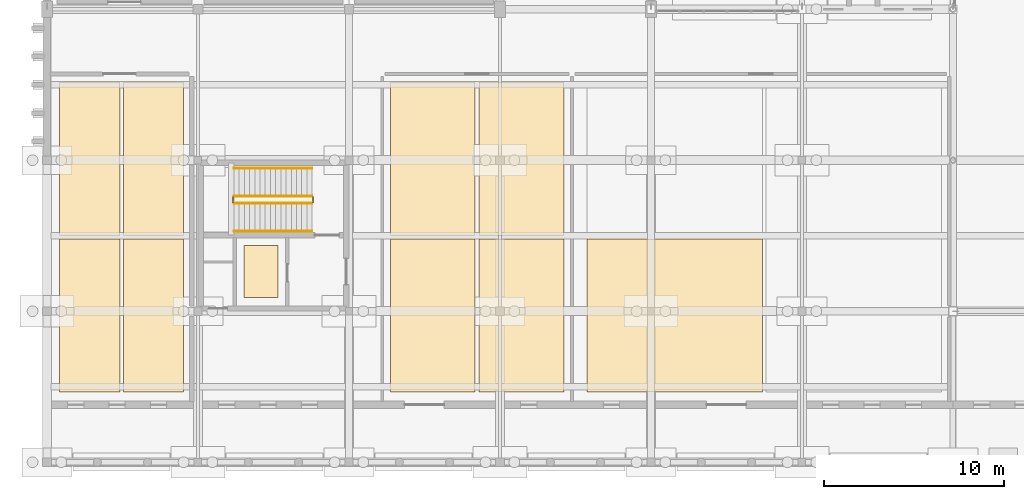
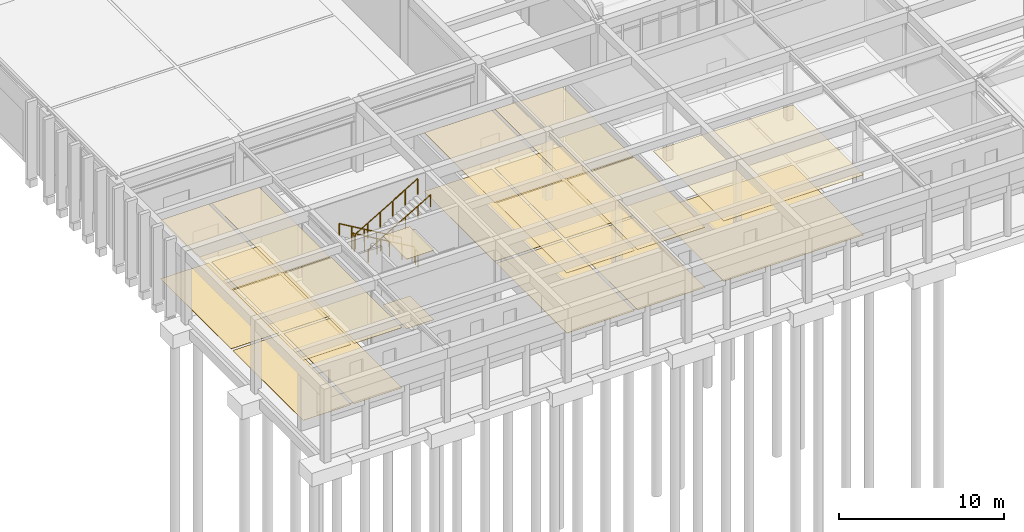
# One storey, part 131 of 143: 20 coverings, 6 railings.
"""IFC4 building model written with IfcOpenShell, lengths in metres."""

from ifc_helpers import new_model, si_unit, direction, frame, origin, origin_2d, place, context, subcontext, project, spatial, rectangle, circle, extrude, material, layer, layer_set, type_object, element, save


model = new_model("IFC4")

# Units and contexts
model_context = context("Model", 3, precision=1e-05, world=origin(), true_north=direction((0.0, 1.0)))
body_context = subcontext(model_context, "Body", "Model", "MODEL_VIEW")
ifc_project = project(units=[si_unit("LENGTHUNIT", "METRE"), si_unit("AREAUNIT", "SQUARE_METRE"), si_unit("VOLUMEUNIT", "CUBIC_METRE"), si_unit("PLANEANGLEUNIT", "RADIAN"), si_unit("MASSUNIT", "GRAM", prefix="KILO")], contexts=[model_context])

# Site, building, storey
site_placement = place(None, origin())
site = spatial("IfcSite", under=ifc_project, at=site_placement, CompositionType="ELEMENT")
building_placement = place(site_placement, origin())
building = spatial("IfcBuilding", under=site, at=building_placement, Name="Kveldsbrygga Polytechnic", CompositionType="ELEMENT")
storey_placement = place(building_placement, origin())
storey = spatial("IfcBuildingStorey", under=building, at=storey_placement, Name="L00", CompositionType="ELEMENT", Elevation=0.0)

# Coverings
ifc_material_1 = material(Name="Acoustic mineral baffle ceiling")
ifc_layer_1 = layer(ifc_material_1, 0.030029296875)
ifc_layer_set_1 = layer_set([ifc_layer_1], Name="Acoustic mineral baffle ceiling")
covering_type_1 = type_object("IfcCoveringType", Name="COV-CEIL-AC30", PredefinedType="CEILING", material=ifc_layer_set_1)
for number, where, z_axis, x_axis, name in (
    (1, (2.375, 8.16259765625, 4.43017578125), (0.0, 0.0, 1.0), (1.0, 0.0, 0.0), "Acoustic Ceiling SP-L00-FABLABW-WS"),
    (2, (2.375, 16.887451171875, 4.330078125), (0.0, 0.0, 1.0), (1.0, 0.0, 0.0), "Acoustic Ceiling SP-L00-FABLABW-WN"),
    (3, (5.925048828125, 8.16259765625, 4.43017578125), (0.0, 0.0, 1.0), (1.0, 0.0, 0.0), "Acoustic Ceiling SP-L00-FABLABW-ES"),
    (4, (5.925048828125, 16.887451171875, 4.330078125), (0.0, 0.0, 1.0), (1.0, 0.0, 0.0), "Acoustic Ceiling SP-L00-FABLABW-EN"),
):
    element("IfcCovering", number, at=place(storey_placement, frame(where, z_axis=z_axis, x_axis=x_axis)), inside=storey, type_object=covering_type_1, Name=name, PredefinedType="CEILING", context=body_context, shape_type="SweptSolid", body=[
        extrude(rectangle(XDim=3.35009765625, YDim=8.52490234375, at=origin_2d()), origin(), (0.0, 0.0, 1.0), 0.030029296875),
    ])
for number, where, z_axis, x_axis, name in (
    (5, (21.46240234375, 8.16259765625, 4.43017578125), (0.0, 0.0, 1.0), (1.0, 0.0, 0.0), "Acoustic Ceiling SP-L00-FABLAB-WS"),
    (6, (21.46240234375, 16.887451171875, 4.330078125), (0.0, 0.0, 1.0), (1.0, 0.0, 0.0), "Acoustic Ceiling SP-L00-FABLAB-WN"),
    (7, (26.387451171875, 8.16259765625, 4.43017578125), (0.0, 0.0, 1.0), (1.0, 0.0, 0.0), "Acoustic Ceiling SP-L00-FABLAB-ES"),
    (8, (26.387451171875, 16.887451171875, 4.330078125), (0.0, 0.0, 1.0), (1.0, 0.0, 0.0), "Acoustic Ceiling SP-L00-FABLAB-EN"),
):
    element("IfcCovering", number, at=place(storey_placement, frame(where, z_axis=z_axis, x_axis=x_axis)), inside=storey, type_object=covering_type_1, Name=name, PredefinedType="CEILING", context=body_context, shape_type="SweptSolid", body=[
        extrude(rectangle(XDim=4.72509765625, YDim=8.52490234375, at=origin_2d()), origin(), (0.0, 0.0, 1.0), 0.030029296875),
    ])
covering_1_placement = place(storey_placement, frame((34.925048828125, 8.16259765625, 4.43017578125), z_axis=(0.0, 0.0, 1.0), x_axis=(1.0, 0.0, 0.0)))
element("IfcCovering", 9, at=covering_1_placement, inside=storey, type_object=covering_type_1, Name="Acoustic Ceiling SP-L00-BOOK-WS", PredefinedType="CEILING", context=body_context, shape_type="SweptSolid", body=[
    extrude(rectangle(XDim=9.75, YDim=8.52490234375, at=origin_2d()), origin(), (0.0, 0.0, 1.0), 0.030029296875),
])
ifc_material_2 = material(Name="Gypsum acoustic ceiling")
ifc_layer_2 = layer(ifc_material_2, 0.02001953125)
ifc_layer_set_2 = layer_set([ifc_layer_2], Name="Gypsum acoustic ceiling")
covering_type_2 = type_object("IfcCoveringType", Name="COV-CEIL-GY20", PredefinedType="CEILING", material=ifc_layer_set_2)
covering_2_placement = place(storey_placement, frame((11.89990234375, 10.60009765625, 5.119873046875), z_axis=(0.0, 0.0, 1.0), x_axis=(1.0, 0.0, 0.0)))
element("IfcCovering", 10, at=covering_2_placement, inside=storey, type_object=covering_type_2, Name="Acoustic Ceiling SP-C9-L00-STORE", PredefinedType="CEILING", context=body_context, shape_type="SweptSolid", body=[
    extrude(rectangle(XDim=1.89990234375, YDim=2.89990234375, at=origin_2d()), origin(), (0.0, 0.0, 1.0), 0.02001953125),
])
ifc_material_3 = material(Name="Heavy-duty quartz-filled epoxy resin flooring")
ifc_layer_3 = layer(ifc_material_3, 0.014892578125)
ifc_layer_set_3 = layer_set([ifc_layer_3], Name="Heavy-duty quartz-filled epoxy resin flooring")
covering_type_3 = type_object("IfcCoveringType", Name="COV-FLR-EPX15", PredefinedType="FLOORING", material=ifc_layer_set_3)
covering_3_placement = place(storey_placement, frame((11.89990234375, 10.60009765625, 0.0), z_axis=(0.0, 0.0, 1.0), x_axis=(1.0, 0.0, 0.0)))
element("IfcCovering", 11, at=covering_3_placement, inside=storey, type_object=covering_type_3, Name="Room Flooring SP-C9-L00-STORE", PredefinedType="FLOORING", context=body_context, shape_type="SweptSolid", body=[
    extrude(rectangle(XDim=1.89990234375, YDim=2.89990234375, at=origin_2d()), origin(), (0.0, 0.0, 1.0), 0.014892578125),
])
for number, where, z_axis, x_axis, name in (
    (12, (2.375, 8.16259765625, 0.0), (0.0, 0.0, 1.0), (1.0, 0.0, 0.0), "Room Flooring SP-L00-FABLABW-WS"),
    (13, (2.375, 16.887451171875, 0.0), (0.0, 0.0, 1.0), (1.0, 0.0, 0.0), "Room Flooring SP-L00-FABLABW-WN"),
    (14, (5.925048828125, 8.16259765625, 0.0), (0.0, 0.0, 1.0), (1.0, 0.0, 0.0), "Room Flooring SP-L00-FABLABW-ES"),
    (15, (5.925048828125, 16.887451171875, 0.0), (0.0, 0.0, 1.0), (1.0, 0.0, 0.0), "Room Flooring SP-L00-FABLABW-EN"),
):
    element("IfcCovering", number, at=place(storey_placement, frame(where, z_axis=z_axis, x_axis=x_axis)), inside=storey, type_object=covering_type_3, Name=name, PredefinedType="FLOORING", context=body_context, shape_type="SweptSolid", body=[
        extrude(rectangle(XDim=3.35009765625, YDim=8.52490234375, at=origin_2d()), origin(), (0.0, 0.0, 1.0), 0.014892578125),
    ])
ifc_material_4 = material(Name="Acoustic oak timber flooring", Category="wood")
ifc_layer_4 = layer(ifc_material_4, 0.02197265625)
ifc_layer_set_4 = layer_set([ifc_layer_4], Name="Acoustic oak timber flooring")
covering_type_4 = type_object("IfcCoveringType", Name="COV-FLR-OAK22", PredefinedType="FLOORING", material=ifc_layer_set_4)
for number, where, z_axis, x_axis, name in (
    (16, (21.46240234375, 8.16259765625, 0.0), (0.0, 0.0, 1.0), (1.0, 0.0, 0.0), "Room Flooring SP-L00-FABLAB-WS"),
    (17, (21.46240234375, 16.887451171875, 0.0), (0.0, 0.0, 1.0), (1.0, 0.0, 0.0), "Room Flooring SP-L00-FABLAB-WN"),
    (18, (26.387451171875, 8.16259765625, 0.0), (0.0, 0.0, 1.0), (1.0, 0.0, 0.0), "Room Flooring SP-L00-FABLAB-ES"),
    (19, (26.387451171875, 16.887451171875, 0.0), (0.0, 0.0, 1.0), (1.0, 0.0, 0.0), "Room Flooring SP-L00-FABLAB-EN"),
):
    element("IfcCovering", number, at=place(storey_placement, frame(where, z_axis=z_axis, x_axis=x_axis)), inside=storey, type_object=covering_type_4, Name=name, PredefinedType="FLOORING", context=body_context, shape_type="SweptSolid", body=[
        extrude(rectangle(XDim=4.72509765625, YDim=8.52490234375, at=origin_2d()), origin(), (0.0, 0.0, 1.0), 0.02197265625),
    ])
covering_4_placement = place(storey_placement, frame((34.925048828125, 8.16259765625, 0.0), z_axis=(0.0, 0.0, 1.0), x_axis=(1.0, 0.0, 0.0)))
element("IfcCovering", 20, at=covering_4_placement, inside=storey, type_object=covering_type_4, Name="Room Flooring SP-L00-BOOK-WS", PredefinedType="FLOORING", context=body_context, shape_type="SweptSolid", body=[
    extrude(rectangle(XDim=9.75, YDim=8.52490234375, at=origin_2d()), origin(), (0.0, 0.0, 1.0), 0.02197265625),
])

# Railings
ifc_material_5 = material(Name="Steel S355", Category="steel")
railing_type_1 = type_object("IfcRailingType", Name="RL-STAIR-GRD", PredefinedType="GUARDRAIL", material=ifc_material_5)
railing_1_placement = place(storey_placement, frame((14.75, 14.800048828125, 0.169921875)))
element("IfcRailing", 21, at=railing_1_placement, inside=storey, type_object=railing_type_1, Name="L00 ST-9 stair guard 1", PredefinedType="GUARDRAIL", context=body_context, shape_type="SweptSolid", body=[
    extrude(circle(Radius=0.02392578125, at=origin_2d()), frame((0.0, 0.0, 1.1259765625), z_axis=(-0.862698698498, 0.0, 0.505718257145), x_axis=(0.0, -1.0, 0.0)), (0.0, 0.0, 1.0), 5.04248046875),
    extrude(circle(Radius=0.02099609375, at=origin_2d()), origin(), (0.0, 0.0, 1.0), 1.097900390625),
    extrude(circle(Radius=0.02099609375, at=origin_2d()), frame((-0.8701171875, 0.0, 0.510009765625)), (0.0, 0.0, 1.0), 1.097900390625),
    extrude(circle(Radius=0.02099609375, at=origin_2d()), frame((-1.739990234375, 0.0, 1.02001953125)), (0.0, 0.0, 1.0), 1.097900390625),
    extrude(circle(Radius=0.02099609375, at=origin_2d()), frame((-2.610107421875, 0.0, 1.530029296875)), (0.0, 0.0, 1.0), 1.097900390625),
    extrude(circle(Radius=0.02099609375, at=origin_2d()), frame((-3.47998046875, 0.0, 2.0400390625)), (0.0, 0.0, 1.0), 1.097900390625),
    extrude(circle(Radius=0.02099609375, at=origin_2d()), frame((-4.35009765625, 0.0, 2.550048828125)), (0.0, 0.0, 1.0), 1.097900390625),
])
railing_2_placement = place(storey_placement, frame((10.35009765625, 14.75, 2.719970703125)))
element("IfcRailing", 22, at=railing_2_placement, inside=storey, type_object=railing_type_1, Name="L00 ST-9 stair guard 2", PredefinedType="GUARDRAIL", context=body_context, shape_type="SweptSolid", body=[
    extrude(circle(Radius=0.02392578125, at=origin_2d()), frame((0.0, 0.0, 1.1259765625), z_axis=(0.0, -1.0, 0.0), x_axis=(1.0, 0.0, 0.0)), (0.0, 0.0, 1.0), 0.300048828125),
    extrude(circle(Radius=0.02099609375, at=origin_2d()), origin(), (0.0, 0.0, 1.0), 1.097900390625),
    extrude(circle(Radius=0.02099609375, at=origin_2d()), frame((0.0, -0.300048828125, 0.0)), (0.0, 0.0, 1.0), 1.097900390625),
])
railing_3_placement = place(storey_placement, frame((10.39990234375, 14.39990234375, 2.889892578125)))
element("IfcRailing", 23, at=railing_3_placement, inside=storey, type_object=railing_type_1, Name="L00 ST-9 stair guard 3", PredefinedType="GUARDRAIL", context=body_context, shape_type="SweptSolid", body=[
    extrude(circle(Radius=0.02392578125, at=origin_2d()), frame((0.0, 0.0, 1.1259765625), z_axis=(0.862698698498, 0.0, 0.505718257145), x_axis=(0.0, 1.0, 0.0)), (0.0, 0.0, 1.0), 5.04248046875),
    extrude(circle(Radius=0.02099609375, at=origin_2d()), origin(), (0.0, 0.0, 1.0), 1.097900390625),
    extrude(circle(Radius=0.02099609375, at=origin_2d()), frame((0.8701171875, 0.0, 0.510009765625)), (0.0, 0.0, 1.0), 1.097900390625),
    extrude(circle(Radius=0.02099609375, at=origin_2d()), frame((1.739990234375, 0.0, 1.02001953125)), (0.0, 0.0, 1.0), 1.097900390625),
    extrude(circle(Radius=0.02099609375, at=origin_2d()), frame((2.610107421875, 0.0, 1.530029296875)), (0.0, 0.0, 1.0), 1.097900390625),
    extrude(circle(Radius=0.02099609375, at=origin_2d()), frame((3.47998046875, 0.0, 2.0400390625)), (0.0, 0.0, 1.0), 1.097900390625),
    extrude(circle(Radius=0.02099609375, at=origin_2d()), frame((4.35009765625, 0.0, 2.550048828125)), (0.0, 0.0, 1.0), 1.097900390625),
])
railing_4_placement = place(storey_placement, frame((14.800048828125, 14.75, 0.0)))
element("IfcRailing", 24, at=railing_4_placement, inside=storey, type_object=railing_type_1, Name="L00 ST-9 stair guard 4", PredefinedType="GUARDRAIL", context=body_context, shape_type="SweptSolid", body=[
    extrude(circle(Radius=0.02392578125, at=origin_2d()), frame((0.0, 0.0, 1.1259765625), z_axis=(0.0, -1.0, 0.0), x_axis=(1.0, 0.0, 0.0)), (0.0, 0.0, 1.0), 0.300048828125),
    extrude(circle(Radius=0.02099609375, at=origin_2d()), origin(), (0.0, 0.0, 1.0), 1.097900390625),
    extrude(circle(Radius=0.02099609375, at=origin_2d()), frame((0.0, -0.300048828125, 0.0)), (0.0, 0.0, 1.0), 1.097900390625),
])
railing_type_2 = type_object("IfcRailingType", Name="RL-STAIR-HND", PredefinedType="HANDRAIL", material=ifc_material_5)
railing_5_placement = place(storey_placement, frame((14.75, 16.35009765625, 0.169921875)))
element("IfcRailing", 25, at=railing_5_placement, inside=storey, type_object=railing_type_2, Name="L00 ST-9 stair handrail 1", PredefinedType="HANDRAIL", context=body_context, shape_type="SweptSolid", body=[
    extrude(circle(Radius=0.02392578125, at=origin_2d()), frame((0.0, 0.0, 0.8759765625), z_axis=(-0.862698698498, 0.0, 0.505718257145), x_axis=(0.0, -1.0, 0.0)), (0.0, 0.0, 1.0), 5.04248046875),
    extrude(circle(Radius=0.02099609375, at=origin_2d()), origin(), (0.0, 0.0, 1.0), 0.847900390625),
    extrude(circle(Radius=0.02099609375, at=origin_2d()), frame((-0.8701171875, 0.0, 0.510009765625)), (0.0, 0.0, 1.0), 0.847900390625),
    extrude(circle(Radius=0.02099609375, at=origin_2d()), frame((-1.739990234375, 0.0, 1.02001953125)), (0.0, 0.0, 1.0), 0.847900390625),
    extrude(circle(Radius=0.02099609375, at=origin_2d()), frame((-2.610107421875, 0.0, 1.530029296875)), (0.0, 0.0, 1.0), 0.847900390625),
    extrude(circle(Radius=0.02099609375, at=origin_2d()), frame((-3.47998046875, 0.0, 2.0400390625)), (0.0, 0.0, 1.0), 0.847900390625),
    extrude(circle(Radius=0.02099609375, at=origin_2d()), frame((-4.35009765625, 0.0, 2.550048828125)), (0.0, 0.0, 1.0), 0.847900390625),
])
railing_6_placement = place(storey_placement, frame((10.39990234375, 12.85009765625, 2.889892578125)))
element("IfcRailing", 26, at=railing_6_placement, inside=storey, type_object=railing_type_2, Name="L00 ST-9 stair handrail 2", PredefinedType="HANDRAIL", context=body_context, shape_type="SweptSolid", body=[
    extrude(circle(Radius=0.02392578125, at=origin_2d()), frame((0.0, 0.0, 0.8759765625), z_axis=(0.862698698498, 0.0, 0.505718257145), x_axis=(0.0, 1.0, 0.0)), (0.0, 0.0, 1.0), 5.04248046875),
    extrude(circle(Radius=0.02099609375, at=origin_2d()), origin(), (0.0, 0.0, 1.0), 0.847900390625),
    extrude(circle(Radius=0.02099609375, at=origin_2d()), frame((0.8701171875, 0.0, 0.510009765625)), (0.0, 0.0, 1.0), 0.847900390625),
    extrude(circle(Radius=0.02099609375, at=origin_2d()), frame((1.739990234375, 0.0, 1.02001953125)), (0.0, 0.0, 1.0), 0.847900390625),
    extrude(circle(Radius=0.02099609375, at=origin_2d()), frame((2.610107421875, 0.0, 1.530029296875)), (0.0, 0.0, 1.0), 0.847900390625),
    extrude(circle(Radius=0.02099609375, at=origin_2d()), frame((3.47998046875, 0.0, 2.0400390625)), (0.0, 0.0, 1.0), 0.847900390625),
    extrude(circle(Radius=0.02099609375, at=origin_2d()), frame((4.35009765625, 0.0, 2.550048828125)), (0.0, 0.0, 1.0), 0.847900390625),
])

save(model, "model.ifc")
